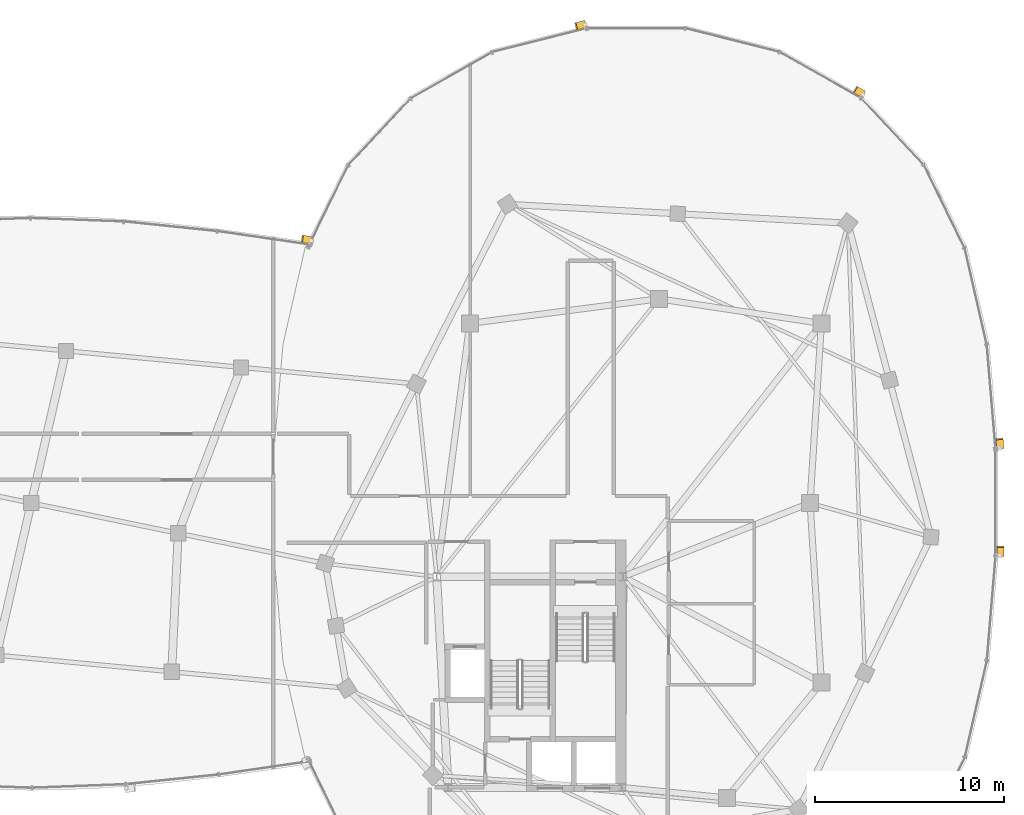
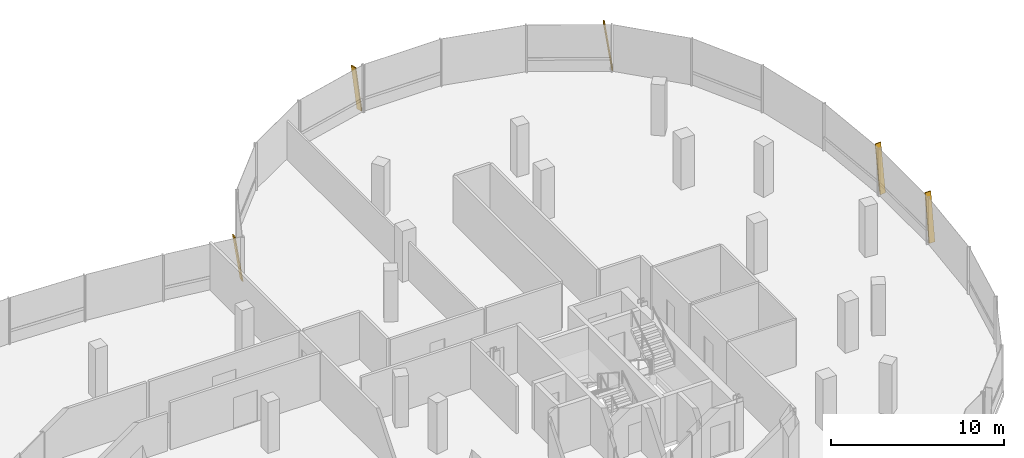
# One storey, part 24 of 24: 5 shading devices.
"""IFC4 building model written with IfcOpenShell, lengths in metres."""

from ifc_helpers import new_model, si_unit, direction, frame, origin, origin_2d, place, context, subcontext, project, spatial, rectangle, extrude, material, material_profile, profile_set, type_object, element, save


model = new_model("IFC4")

# Units and contexts
model_context = context("Model", 3, precision=1e-05, world=origin(), true_north=direction((0.0, 1.0)))
body_context = subcontext(model_context, "Body", "Model", "MODEL_VIEW")
ifc_project = project(units=[si_unit("LENGTHUNIT", "METRE"), si_unit("AREAUNIT", "SQUARE_METRE"), si_unit("VOLUMEUNIT", "CUBIC_METRE"), si_unit("PLANEANGLEUNIT", "RADIAN"), si_unit("MASSUNIT", "GRAM", prefix="KILO"), si_unit("THERMODYNAMICTEMPERATUREUNIT", "KELVIN"), si_unit("POWERUNIT", "WATT")], contexts=[model_context])

# Site, building, storey
site_placement = place(None, origin())
site = spatial("IfcSite", under=ifc_project, at=site_placement, CompositionType="ELEMENT")
building_placement = place(site_placement, origin())
building = spatial("IfcBuilding", under=site, at=building_placement, Name="Cundina Bronze Exchange", CompositionType="ELEMENT")
storey_placement = place(building_placement, frame((0.0, 0.0, 268.39990234375)))
storey = spatial("IfcBuildingStorey", under=building, at=storey_placement, Name="L71", CompositionType="ELEMENT", Elevation=268.39990234375)

# Shading devices
ifc_material = material(Name="Anodised Bronze Aluminium 6063-T6", Category="aluminium")
ifc_material_profile = material_profile(ifc_material, rectangle(XDim=0.070068359375, YDim=0.3798828125, at=origin_2d()), Name="FIN70X380", Category="aluminium")
ifc_profile_set = profile_set([ifc_material_profile], Name="Anodised Bronze Aluminium 6063-T6")
shading_device_type = type_object("IfcShadingDeviceType", Name="SHD-FIN-BRZ380", PredefinedType="USERDEFINED", material=ifc_profile_set)
for number, where, z_axis, x_axis, name in (
    (1, (51.26416015625, 2.90625, 0.02001953125), (-0.012006555776, 0.143419772964, 0.98958911238), (0.082555834947, -0.986139516224, 0.143921466983), "L71 Diagonal Bronze Solar Fin 1"),
    (2, (44.0126953125, 21.63720703125, 0.02001953125), (-0.125189514072, 0.071087145125, 0.989582843103), (0.860526986551, -0.488638423358, 0.143964567292), "L71 Diagonal Bronze Solar Fin 5"),
    (3, (29.290771484375, 25.343505859375, 0.02001953125), (-0.139611891367, -0.03514090606, 0.989582556693), (0.959650042543, 0.24154799183, 0.143966536007), "L71 Diagonal Bronze Solar Fin 1"),
    (4, (51.26904296875, -2.79150390625, 0.02001953125), (0.0, 0.143932024572, 0.989587576874), (0.0, -0.989587576874, 0.143932024572), "L71 Diagonal Bronze Solar Fin 5"),
):
    element("IfcShadingDevice", number, at=place(storey_placement, frame(where, z_axis=z_axis, x_axis=x_axis)), inside=storey, type_object=shading_device_type, Name=name, ObjectType="FIN", PredefinedType="USERDEFINED", context=body_context, shape_type="SweptSolid", body=[
        extrude(rectangle(XDim=0.070068359375, YDim=0.3798828125, at=origin_2d()), origin(), (0.0, 0.0, 1.0), 3.334716796875),
    ])
shading_device_placement = place(storey_placement, frame((14.8154296875, 13.90625, 0.02001953125), z_axis=(-0.145051508968, 0.021168873868, 0.989197623595), x_axis=(0.978828704224, -0.142850643371, 0.1465880673)))
element("IfcShadingDevice", 5, at=shading_device_placement, inside=storey, type_object=shading_device_type, Name="L71 Diagonal Bronze Solar Fin 1", ObjectType="FIN", PredefinedType="USERDEFINED", context=body_context, shape_type="SweptSolid", body=[
    extrude(rectangle(XDim=0.070068359375, YDim=0.3798828125, at=origin_2d()), origin(), (0.0, 0.0, 1.0), 3.275390625),
])

save(model, "model.ifc")
